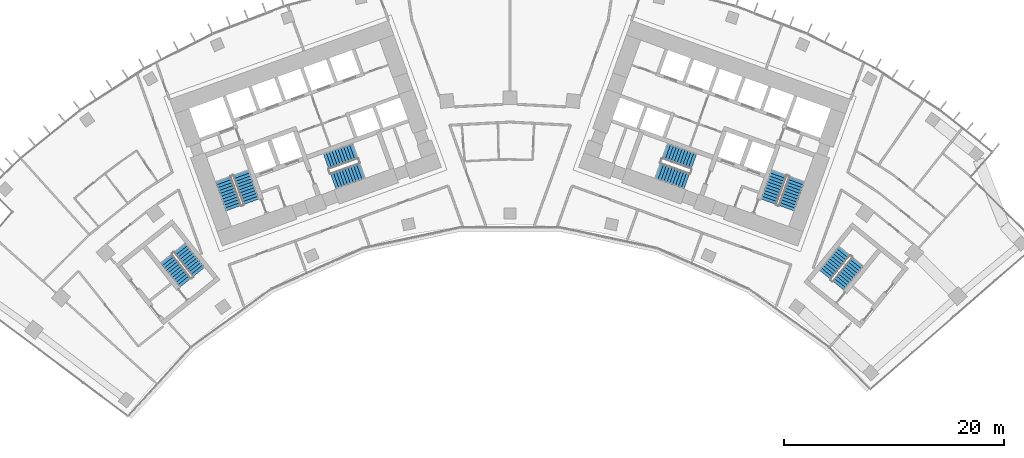
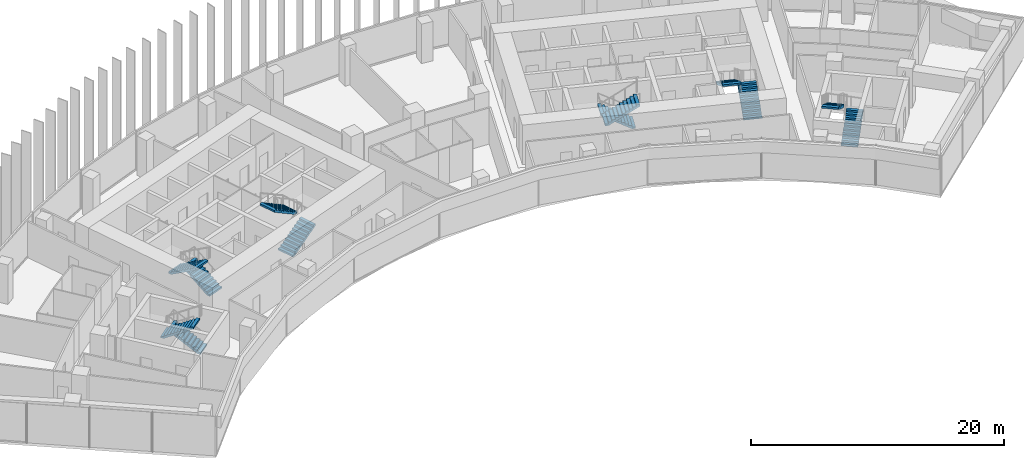
# One storey, part 21 of 23: 12 stair flights, 6 elements without a shape of their own.
"""IFC4 building model written with IfcOpenShell, lengths in metres."""

from ifc_helpers import new_model, si_unit, direction, frame, origin, place, context, subcontext, project, spatial, polyline, outline, extrude, material, type_object, element, aggregate, save


model = new_model("IFC4")

# Units and contexts
model_context = context("Model", 3, precision=1e-05, world=origin(), true_north=direction((0.0, 1.0)))
body_context = subcontext(model_context, "Body", "Model", "MODEL_VIEW")
ifc_project = project(units=[si_unit("LENGTHUNIT", "METRE"), si_unit("AREAUNIT", "SQUARE_METRE"), si_unit("VOLUMEUNIT", "CUBIC_METRE"), si_unit("PLANEANGLEUNIT", "RADIAN"), si_unit("MASSUNIT", "GRAM", prefix="KILO")], contexts=[model_context])

# Site, building, storey
site_placement = place(None, origin())
site = spatial("IfcSite", under=ifc_project, at=site_placement, CompositionType="ELEMENT")
building_placement = place(site_placement, origin())
building = spatial("IfcBuilding", under=site, at=building_placement, Name="Stone Belt Terrace Tower", CompositionType="ELEMENT")
storey_placement = place(building_placement, frame((0.0, 0.0, 178.199951171875)))
storey = spatial("IfcBuildingStorey", under=building, at=storey_placement, Name="L43", CompositionType="ELEMENT", Elevation=178.199951171875)

# Stair, stair flights
ifc_material = material(Name="Concrete B40", Category="concrete")
stair_type = type_object("IfcStairType", Name="Exit stair 1500", PredefinedType="HALF_TURN_STAIR", material=ifc_material)
stair_1_placement = place(storey_placement, origin())
stair_1 = element("IfcStair", 1, at=stair_1_placement, inside=storey, type_object=stair_type, Name="L43 Exit stair 1 core A", PredefinedType="HALF_TURN_STAIR")
stair_flight_type = type_object("IfcStairFlightType", Name="Stair flight 1500", PredefinedType="STRAIGHT", material=ifc_material)
stair_flight_1_placement = place(storey_placement, frame((-23.55322265625, 45.51318359375, 0.0), z_axis=(0.0, 0.0, 1.0), x_axis=(-0.338624396177, 0.940921632398, 0.0)))
stair_flight_1 = element("IfcStairFlight", 2, at=stair_flight_1_placement, type_object=stair_flight_type, Name="ST1A flight 1", NumberOfRisers=11, NumberOfTreads=10, PredefinedType="STRAIGHT", RiserHeight=0.172727273, TreadLength=0.28, context=body_context, shape_type="SweptSolid", body=[
    extrude(outline(polyline([(0.0, 0.0), (0.0, 0.172607421875), (0.280029296875, 0.172607421875), (0.280029296875, 0.345458984375), (0.56005859375, 0.345458984375), (0.56005859375, 0.51806640625), (0.840087890625, 0.51806640625), (0.840087890625, 0.69091796875), (1.1201171875, 0.69091796875), (1.1201171875, 0.863525390625), (1.39990234375, 0.863525390625), (1.39990234375, 1.036376953125), (1.679931640625, 1.036376953125), (1.679931640625, 1.208984375), (1.9599609375, 1.208984375), (1.9599609375, 1.3818359375), (2.239990234375, 1.3818359375), (2.239990234375, 1.554443359375), (2.52001953125, 1.554443359375), (2.52001953125, 1.727294921875), (2.800048828125, 1.727294921875), (2.800048828125, 1.89990234375), (2.800048828125, 1.551025390625), (0.285400390625, 0.0), (0.0, 0.0)])), frame((0.0, 0.75, 0.0), z_axis=(0.0, -1.0, 0.0), x_axis=(1.0, 0.0, 0.0)), (0.0, 0.0, 1.0), 1.5),
])
stair_flight_2_placement = place(storey_placement, frame((-26.10107421875, 47.572021484375, 1.900146484375), z_axis=(0.0, 0.0, 1.0), x_axis=(0.338624396177, -0.940921632398, 0.0)))
stair_flight_2 = element("IfcStairFlight", 3, at=stair_flight_2_placement, type_object=stair_flight_type, Name="ST1A flight 2", NumberOfRisers=11, NumberOfTreads=10, PredefinedType="STRAIGHT", RiserHeight=0.172727273, TreadLength=0.28, context=body_context, shape_type="SweptSolid", body=[
    extrude(outline(polyline([(0.0, 0.0), (0.0, 0.172607421875), (0.280029296875, 0.172607421875), (0.280029296875, 0.345458984375), (0.56005859375, 0.345458984375), (0.56005859375, 0.51806640625), (0.840087890625, 0.51806640625), (0.840087890625, 0.69091796875), (1.1201171875, 0.69091796875), (1.1201171875, 0.863525390625), (1.39990234375, 0.863525390625), (1.39990234375, 1.036376953125), (1.679931640625, 1.036376953125), (1.679931640625, 1.208984375), (1.9599609375, 1.208984375), (1.9599609375, 1.3818359375), (2.239990234375, 1.3818359375), (2.239990234375, 1.554443359375), (2.52001953125, 1.554443359375), (2.52001953125, 1.727294921875), (2.800048828125, 1.727294921875), (2.800048828125, 1.89990234375), (2.800048828125, 1.551025390625), (0.285400390625, 0.0), (0.0, 0.0)])), frame((0.0, 0.75, 0.0), z_axis=(0.0, -1.0, 0.0), x_axis=(1.0, 0.0, 0.0)), (0.0, 0.0, 1.0), 1.5),
])
aggregate(stair_1, [stair_flight_1, stair_flight_2])

stair_2_placement = place(storey_placement, origin())
stair_2 = element("IfcStair", 4, at=stair_2_placement, inside=storey, type_object=stair_type, Name="L43 Exit stair 2 core A", PredefinedType="HALF_TURN_STAIR")
stair_flight_3_placement = place(storey_placement, frame((-16.101318359375, 47.39794921875, 0.0), z_axis=(0.0, 0.0, 1.0), x_axis=(0.940921632398, 0.338624396177, 0.0)))
stair_flight_3 = element("IfcStairFlight", 5, at=stair_flight_3_placement, type_object=stair_flight_type, Name="ST2A flight 1", NumberOfRisers=11, NumberOfTreads=10, PredefinedType="STRAIGHT", RiserHeight=0.172727273, TreadLength=0.28, context=body_context, shape_type="SweptSolid", body=[
    extrude(outline(polyline([(0.0, 0.0), (0.0, 0.172607421875), (0.280029296875, 0.172607421875), (0.280029296875, 0.345458984375), (0.56005859375, 0.345458984375), (0.56005859375, 0.51806640625), (0.840087890625, 0.51806640625), (0.840087890625, 0.69091796875), (1.1201171875, 0.69091796875), (1.1201171875, 0.863525390625), (1.39990234375, 0.863525390625), (1.39990234375, 1.036376953125), (1.679931640625, 1.036376953125), (1.679931640625, 1.208984375), (1.9599609375, 1.208984375), (1.9599609375, 1.3818359375), (2.239990234375, 1.3818359375), (2.239990234375, 1.554443359375), (2.52001953125, 1.554443359375), (2.52001953125, 1.727294921875), (2.800048828125, 1.727294921875), (2.800048828125, 1.89990234375), (2.800048828125, 1.551025390625), (0.285400390625, 0.0), (0.0, 0.0)])), frame((0.0, 0.75, 0.0), z_axis=(0.0, -1.0, 0.0), x_axis=(1.0, 0.0, 0.0)), (0.0, 0.0, 1.0), 1.5),
])
stair_flight_4_placement = place(storey_placement, frame((-14.110107421875, 50.1337890625, 1.900146484375), z_axis=(0.0, 0.0, 1.0), x_axis=(-0.940921632398, -0.338624396177, 0.0)))
stair_flight_4 = element("IfcStairFlight", 6, at=stair_flight_4_placement, type_object=stair_flight_type, Name="ST2A flight 2", NumberOfRisers=11, NumberOfTreads=10, PredefinedType="STRAIGHT", RiserHeight=0.172727273, TreadLength=0.28, context=body_context, shape_type="SweptSolid", body=[
    extrude(outline(polyline([(0.0, 0.0), (0.0, 0.172607421875), (0.280029296875, 0.172607421875), (0.280029296875, 0.345458984375), (0.56005859375, 0.345458984375), (0.56005859375, 0.51806640625), (0.840087890625, 0.51806640625), (0.840087890625, 0.69091796875), (1.1201171875, 0.69091796875), (1.1201171875, 0.863525390625), (1.39990234375, 0.863525390625), (1.39990234375, 1.036376953125), (1.679931640625, 1.036376953125), (1.679931640625, 1.208984375), (1.9599609375, 1.208984375), (1.9599609375, 1.3818359375), (2.239990234375, 1.3818359375), (2.239990234375, 1.554443359375), (2.52001953125, 1.554443359375), (2.52001953125, 1.727294921875), (2.800048828125, 1.727294921875), (2.800048828125, 1.89990234375), (2.800048828125, 1.551025390625), (0.285400390625, 0.0), (0.0, 0.0)])), frame((0.0, 0.75, 0.0), z_axis=(0.0, -1.0, 0.0), x_axis=(1.0, 0.0, 0.0)), (0.0, 0.0, 1.0), 1.5),
])
aggregate(stair_2, [stair_flight_3, stair_flight_4])

stair_3_placement = place(storey_placement, origin())
stair_3 = element("IfcStair", 7, at=stair_3_placement, inside=storey, type_object=stair_type, Name="L43 Exit stair 1 core B", PredefinedType="HALF_TURN_STAIR")
stair_flight_5_placement = place(storey_placement, frame((25.15283203125, 44.9375, 0.0), z_axis=(0.0, 0.0, 1.0), x_axis=(0.338624396177, 0.940921632398, 0.0)))
stair_flight_5 = element("IfcStairFlight", 8, at=stair_flight_5_placement, type_object=stair_flight_type, Name="ST1B flight 1", NumberOfRisers=11, NumberOfTreads=10, PredefinedType="STRAIGHT", RiserHeight=0.172727273, TreadLength=0.28, context=body_context, shape_type="SweptSolid", body=[
    extrude(outline(polyline([(0.0, 0.0), (0.0, 0.172607421875), (0.280029296875, 0.172607421875), (0.280029296875, 0.345458984375), (0.56005859375, 0.345458984375), (0.56005859375, 0.51806640625), (0.840087890625, 0.51806640625), (0.840087890625, 0.69091796875), (1.1201171875, 0.69091796875), (1.1201171875, 0.863525390625), (1.39990234375, 0.863525390625), (1.39990234375, 1.036376953125), (1.679931640625, 1.036376953125), (1.679931640625, 1.208984375), (1.9599609375, 1.208984375), (1.9599609375, 1.3818359375), (2.239990234375, 1.3818359375), (2.239990234375, 1.554443359375), (2.52001953125, 1.554443359375), (2.52001953125, 1.727294921875), (2.800048828125, 1.727294921875), (2.800048828125, 1.89990234375), (2.800048828125, 1.551025390625), (0.285400390625, 0.0), (0.0, 0.0)])), frame((0.0, 0.75, 0.0), z_axis=(0.0, -1.0, 0.0), x_axis=(1.0, 0.0, 0.0)), (0.0, 0.0, 1.0), 1.5),
])
stair_flight_6_placement = place(storey_placement, frame((24.50146484375, 48.147705078125, 1.900146484375), z_axis=(0.0, 0.0, 1.0), x_axis=(-0.338624396177, -0.940921632398, 0.0)))
stair_flight_6 = element("IfcStairFlight", 9, at=stair_flight_6_placement, type_object=stair_flight_type, Name="ST1B flight 2", NumberOfRisers=11, NumberOfTreads=10, PredefinedType="STRAIGHT", RiserHeight=0.172727273, TreadLength=0.28, context=body_context, shape_type="SweptSolid", body=[
    extrude(outline(polyline([(0.0, 0.0), (0.0, 0.172607421875), (0.280029296875, 0.172607421875), (0.280029296875, 0.345458984375), (0.56005859375, 0.345458984375), (0.56005859375, 0.51806640625), (0.840087890625, 0.51806640625), (0.840087890625, 0.69091796875), (1.1201171875, 0.69091796875), (1.1201171875, 0.863525390625), (1.39990234375, 0.863525390625), (1.39990234375, 1.036376953125), (1.679931640625, 1.036376953125), (1.679931640625, 1.208984375), (1.9599609375, 1.208984375), (1.9599609375, 1.3818359375), (2.239990234375, 1.3818359375), (2.239990234375, 1.554443359375), (2.52001953125, 1.554443359375), (2.52001953125, 1.727294921875), (2.800048828125, 1.727294921875), (2.800048828125, 1.89990234375), (2.800048828125, 1.551025390625), (0.285400390625, 0.0), (0.0, 0.0)])), frame((0.0, 0.75, 0.0), z_axis=(0.0, -1.0, 0.0), x_axis=(1.0, 0.0, 0.0)), (0.0, 0.0, 1.0), 1.5),
])
aggregate(stair_3, [stair_flight_5, stair_flight_6])

stair_4_placement = place(storey_placement, origin())
stair_4 = element("IfcStair", 10, at=stair_4_placement, inside=storey, type_object=stair_type, Name="L43 Exit stair 2 core B", PredefinedType="HALF_TURN_STAIR")
stair_flight_7_placement = place(storey_placement, frame((16.74462890625, 49.185546875, 0.0), z_axis=(0.0, 0.0, 1.0), x_axis=(-0.940921632398, 0.338624396177, 0.0)))
stair_flight_7 = element("IfcStairFlight", 11, at=stair_flight_7_placement, type_object=stair_flight_type, Name="ST2B flight 1", NumberOfRisers=11, NumberOfTreads=10, PredefinedType="STRAIGHT", RiserHeight=0.172727273, TreadLength=0.28, context=body_context, shape_type="SweptSolid", body=[
    extrude(outline(polyline([(0.0, 0.0), (0.0, 0.172607421875), (0.280029296875, 0.172607421875), (0.280029296875, 0.345458984375), (0.56005859375, 0.345458984375), (0.56005859375, 0.51806640625), (0.840087890625, 0.51806640625), (0.840087890625, 0.69091796875), (1.1201171875, 0.69091796875), (1.1201171875, 0.863525390625), (1.39990234375, 0.863525390625), (1.39990234375, 1.036376953125), (1.679931640625, 1.036376953125), (1.679931640625, 1.208984375), (1.9599609375, 1.208984375), (1.9599609375, 1.3818359375), (2.239990234375, 1.3818359375), (2.239990234375, 1.554443359375), (2.52001953125, 1.554443359375), (2.52001953125, 1.727294921875), (2.800048828125, 1.727294921875), (2.800048828125, 1.89990234375), (2.800048828125, 1.551025390625), (0.285400390625, 0.0), (0.0, 0.0)])), frame((0.0, 0.75, 0.0), z_axis=(0.0, -1.0, 0.0), x_axis=(1.0, 0.0, 0.0)), (0.0, 0.0, 1.0), 1.5),
])
stair_flight_8_placement = place(storey_placement, frame((13.466796875, 48.345947265625, 1.900146484375), z_axis=(0.0, 0.0, 1.0), x_axis=(0.940921632398, -0.338624396177, 0.0)))
stair_flight_8 = element("IfcStairFlight", 12, at=stair_flight_8_placement, type_object=stair_flight_type, Name="ST2B flight 2", NumberOfRisers=11, NumberOfTreads=10, PredefinedType="STRAIGHT", RiserHeight=0.172727273, TreadLength=0.28, context=body_context, shape_type="SweptSolid", body=[
    extrude(outline(polyline([(0.0, 0.0), (0.0, 0.172607421875), (0.280029296875, 0.172607421875), (0.280029296875, 0.345458984375), (0.56005859375, 0.345458984375), (0.56005859375, 0.51806640625), (0.840087890625, 0.51806640625), (0.840087890625, 0.69091796875), (1.1201171875, 0.69091796875), (1.1201171875, 0.863525390625), (1.39990234375, 0.863525390625), (1.39990234375, 1.036376953125), (1.679931640625, 1.036376953125), (1.679931640625, 1.208984375), (1.9599609375, 1.208984375), (1.9599609375, 1.3818359375), (2.239990234375, 1.3818359375), (2.239990234375, 1.554443359375), (2.52001953125, 1.554443359375), (2.52001953125, 1.727294921875), (2.800048828125, 1.727294921875), (2.800048828125, 1.89990234375), (2.800048828125, 1.551025390625), (0.285400390625, 0.0), (0.0, 0.0)])), frame((0.0, 0.75, 0.0), z_axis=(0.0, -1.0, 0.0), x_axis=(1.0, 0.0, 0.0)), (0.0, 0.0, 1.0), 1.5),
])
aggregate(stair_4, [stair_flight_7, stair_flight_8])

stair_5_placement = place(storey_placement, origin())
stair_5 = element("IfcStair", 13, at=stair_5_placement, inside=storey, type_object=stair_type, Name="L43 Exit stair 3A", PredefinedType="HALF_TURN_STAIR")
stair_flight_9_placement = place(storey_placement, frame((-28.325439453125, 39.1240234375, 0.0), z_axis=(0.0, 0.0, 1.0), x_axis=(-0.623121363691, 0.782125160132, 0.0)))
stair_flight_9 = element("IfcStairFlight", 14, at=stair_flight_9_placement, type_object=stair_flight_type, Name="ST3A flight 1", NumberOfRisers=11, NumberOfTreads=10, PredefinedType="STRAIGHT", RiserHeight=0.172727273, TreadLength=0.28, context=body_context, shape_type="SweptSolid", body=[
    extrude(outline(polyline([(0.0, 0.0), (0.0, 0.172607421875), (0.280029296875, 0.172607421875), (0.280029296875, 0.345458984375), (0.56005859375, 0.345458984375), (0.56005859375, 0.51806640625), (0.840087890625, 0.51806640625), (0.840087890625, 0.69091796875), (1.1201171875, 0.69091796875), (1.1201171875, 0.863525390625), (1.39990234375, 0.863525390625), (1.39990234375, 1.036376953125), (1.679931640625, 1.036376953125), (1.679931640625, 1.208984375), (1.9599609375, 1.208984375), (1.9599609375, 1.3818359375), (2.239990234375, 1.3818359375), (2.239990234375, 1.554443359375), (2.52001953125, 1.554443359375), (2.52001953125, 1.727294921875), (2.800048828125, 1.727294921875), (2.800048828125, 1.89990234375), (2.800048828125, 1.551025390625), (0.285400390625, 0.0), (0.0, 0.0)])), frame((0.0, 0.675048828125, 0.0), z_axis=(0.0, -1.0, 0.0), x_axis=(1.0, 0.0, 0.0)), (0.0, 0.0, 1.0), 1.35009765625),
])
stair_flight_10_placement = place(storey_placement, frame((-31.282470703125, 40.34814453125, 1.900146484375), z_axis=(0.0, 0.0, 1.0), x_axis=(0.623121363691, -0.782125160132, 0.0)))
stair_flight_10 = element("IfcStairFlight", 15, at=stair_flight_10_placement, type_object=stair_flight_type, Name="ST3A flight 2", NumberOfRisers=11, NumberOfTreads=10, PredefinedType="STRAIGHT", RiserHeight=0.172727273, TreadLength=0.28, context=body_context, shape_type="SweptSolid", body=[
    extrude(outline(polyline([(0.0, 0.0), (0.0, 0.172607421875), (0.280029296875, 0.172607421875), (0.280029296875, 0.345458984375), (0.56005859375, 0.345458984375), (0.56005859375, 0.51806640625), (0.840087890625, 0.51806640625), (0.840087890625, 0.69091796875), (1.1201171875, 0.69091796875), (1.1201171875, 0.863525390625), (1.39990234375, 0.863525390625), (1.39990234375, 1.036376953125), (1.679931640625, 1.036376953125), (1.679931640625, 1.208984375), (1.9599609375, 1.208984375), (1.9599609375, 1.3818359375), (2.239990234375, 1.3818359375), (2.239990234375, 1.554443359375), (2.52001953125, 1.554443359375), (2.52001953125, 1.727294921875), (2.800048828125, 1.727294921875), (2.800048828125, 1.89990234375), (2.800048828125, 1.551025390625), (0.285400390625, 0.0), (0.0, 0.0)])), frame((0.0, 0.675048828125, 0.0), z_axis=(0.0, -1.0, 0.0), x_axis=(1.0, 0.0, 0.0)), (0.0, 0.0, 1.0), 1.35009765625),
])
aggregate(stair_5, [stair_flight_9, stair_flight_10])

stair_6_placement = place(storey_placement, origin())
stair_6 = element("IfcStair", 16, at=stair_6_placement, inside=storey, type_object=stair_type, Name="L43 Exit stair 3B", PredefinedType="HALF_TURN_STAIR")
stair_flight_11_placement = place(storey_placement, frame((29.88330078125, 37.887939453125, 0.0), z_axis=(0.0, 0.0, 1.0), x_axis=(0.630205749599, 0.776428176441, 0.0)))
stair_flight_11 = element("IfcStairFlight", 17, at=stair_flight_11_placement, type_object=stair_flight_type, Name="ST3B flight 1", NumberOfRisers=11, NumberOfTreads=10, PredefinedType="STRAIGHT", RiserHeight=0.172727273, TreadLength=0.28, context=body_context, shape_type="SweptSolid", body=[
    extrude(outline(polyline([(0.0, 0.0), (0.0, 0.172607421875), (0.280029296875, 0.172607421875), (0.280029296875, 0.345458984375), (0.56005859375, 0.345458984375), (0.56005859375, 0.51806640625), (0.840087890625, 0.51806640625), (0.840087890625, 0.69091796875), (1.1201171875, 0.69091796875), (1.1201171875, 0.863525390625), (1.39990234375, 0.863525390625), (1.39990234375, 1.036376953125), (1.679931640625, 1.036376953125), (1.679931640625, 1.208984375), (1.9599609375, 1.208984375), (1.9599609375, 1.3818359375), (2.239990234375, 1.3818359375), (2.239990234375, 1.554443359375), (2.52001953125, 1.554443359375), (2.52001953125, 1.727294921875), (2.800048828125, 1.727294921875), (2.800048828125, 1.89990234375), (2.800048828125, 1.551025390625), (0.285400390625, 0.0), (0.0, 0.0)])), frame((0.0, 0.675048828125, 0.0), z_axis=(0.0, -1.0, 0.0), x_axis=(1.0, 0.0, 0.0)), (0.0, 0.0, 1.0), 1.35009765625),
])
stair_flight_12_placement = place(storey_placement, frame((30.4443359375, 41.038818359375, 1.900146484375), z_axis=(0.0, 0.0, 1.0), x_axis=(-0.630205749599, -0.776428176441, 0.0)))
stair_flight_12 = element("IfcStairFlight", 18, at=stair_flight_12_placement, type_object=stair_flight_type, Name="ST3B flight 2", NumberOfRisers=11, NumberOfTreads=10, PredefinedType="STRAIGHT", RiserHeight=0.172727273, TreadLength=0.28, context=body_context, shape_type="SweptSolid", body=[
    extrude(outline(polyline([(0.0, 0.0), (0.0, 0.172607421875), (0.280029296875, 0.172607421875), (0.280029296875, 0.345458984375), (0.56005859375, 0.345458984375), (0.56005859375, 0.51806640625), (0.840087890625, 0.51806640625), (0.840087890625, 0.69091796875), (1.1201171875, 0.69091796875), (1.1201171875, 0.863525390625), (1.39990234375, 0.863525390625), (1.39990234375, 1.036376953125), (1.679931640625, 1.036376953125), (1.679931640625, 1.208984375), (1.9599609375, 1.208984375), (1.9599609375, 1.3818359375), (2.239990234375, 1.3818359375), (2.239990234375, 1.554443359375), (2.52001953125, 1.554443359375), (2.52001953125, 1.727294921875), (2.800048828125, 1.727294921875), (2.800048828125, 1.89990234375), (2.800048828125, 1.551025390625), (0.285400390625, 0.0), (0.0, 0.0)])), frame((0.0, 0.675048828125, 0.0), z_axis=(0.0, -1.0, 0.0), x_axis=(1.0, 0.0, 0.0)), (0.0, 0.0, 1.0), 1.35009765625),
])
aggregate(stair_6, [stair_flight_11, stair_flight_12])

save(model, "model.ifc")
